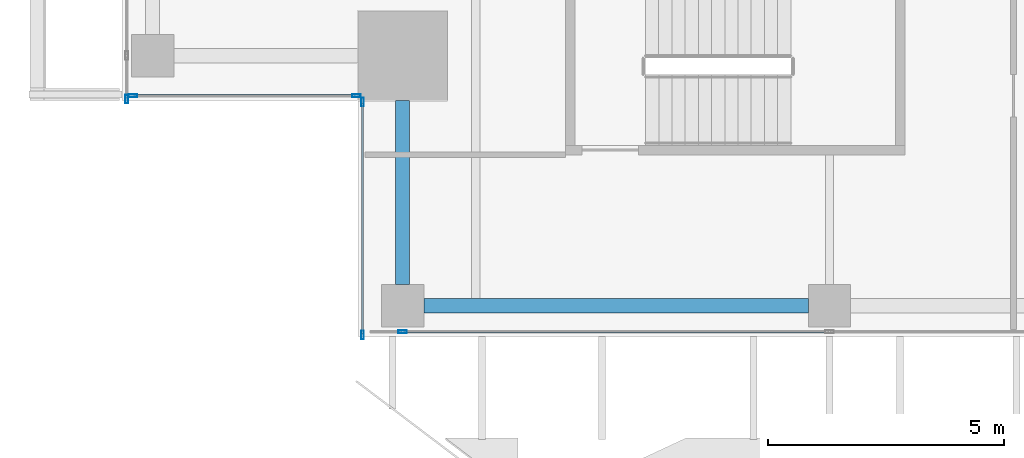
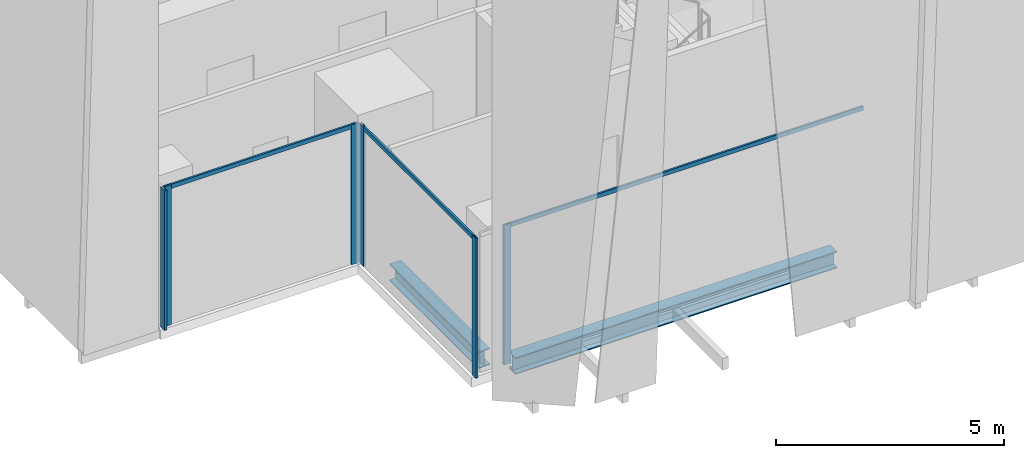
# One storey, part 2 of 35: 9 members, 2 beams, 4 elements without a shape of their own.
"""IFC4 building model written with IfcOpenShell, lengths in metres."""

from ifc_helpers import new_model, si_unit, direction, frame, origin, origin_2d, place, context, subcontext, project, spatial, hollow_rectangle, i_section, extrude, source, transform, mapped, material, material_profile, profile_set, type_object, element, aggregate, save


model = new_model("IFC4")

# Units and contexts
model_context = context("Model", 3, precision=1e-05, world=origin(), true_north=direction((0.0, 1.0)))
body_context = subcontext(model_context, "Body", "Model", "MODEL_VIEW")
ifc_project = project(units=[si_unit("LENGTHUNIT", "METRE"), si_unit("AREAUNIT", "SQUARE_METRE"), si_unit("VOLUMEUNIT", "CUBIC_METRE"), si_unit("PLANEANGLEUNIT", "RADIAN"), si_unit("MASSUNIT", "GRAM", prefix="KILO")], contexts=[model_context])

# Site, building, storey
site_placement = place(None, origin())
site = spatial("IfcSite", under=ifc_project, at=site_placement, CompositionType="ELEMENT")
building_placement = place(site_placement, origin())
building = spatial("IfcBuilding", under=site, at=building_placement, Name="Khomas Fold Tower", CompositionType="ELEMENT")
storey_placement = place(building_placement, frame((0.0, 0.0, 246.199951171875)))
storey = spatial("IfcBuildingStorey", under=building, at=storey_placement, Name="L55", CompositionType="ELEMENT", Elevation=246.199951171875)

# Beams
ifc_material_1 = material(Name="Steel S355", Category="steel")
ifc_material_profile_1 = material_profile(ifc_material_1, i_section(OverallWidth=0.300048828125, OverallDepth=0.449951171875, WebThickness=0.013916015625, FlangeThickness=0.02587890625, at=origin_2d()), Name="HE 450 B")
ifc_profile_set_1 = profile_set([ifc_material_profile_1], Name="Steel S355")
beam_type = type_object("IfcBeamType", Name="HE 450 B spandrel SB4", PredefinedType="SPANDREL", material=ifc_profile_set_1)
shared_shape_1 = source(origin(), body_context, "Body", "SweptSolid", [
    extrude(i_section(OverallWidth=0.300048828125, OverallDepth=0.449951171875, WebThickness=0.013916015625, FlangeThickness=0.02587890625, at=origin_2d()), origin(), (0.0, 0.0, 1.0), 8.150146484375),
])
beam_1_placement = place(storey_placement, frame((10.89990234375, 5.14990234375, -0.474853515625), z_axis=(1.0, 0.0, 0.0), x_axis=(0.0, 1.0, 0.0)))
element("IfcBeam", 1, at=beam_1_placement, inside=storey, type_object=beam_type, Name="SB4", PredefinedType="SPANDREL", context=body_context, shape_type="MappedRepresentation", body=[
    mapped(shared_shape_1, transform((0.0, 0.0, 0.0))),
])
shared_shape_2 = source(origin(), body_context, "Body", "SweptSolid", [
    extrude(i_section(OverallWidth=0.300048828125, OverallDepth=0.449951171875, WebThickness=0.013916015625, FlangeThickness=0.02587890625, at=origin_2d()), origin(), (0.0, 0.0, 1.0), 3.89990234375),
])
beam_2_placement = place(storey_placement, frame((10.449951171875, 5.60009765625, -0.474853515625), z_axis=(0.0, 1.0, 0.0), x_axis=(-1.0, 0.0, 0.0)))
element("IfcBeam", 2, at=beam_2_placement, inside=storey, type_object=beam_type, Name="SB4", PredefinedType="SPANDREL", context=body_context, shape_type="MappedRepresentation", body=[
    mapped(shared_shape_2, transform((0.0, 0.0, 0.0))),
])

# Curtain wall, member
ifc_material_2 = material(Name="Aluminium framed double glazing", Category="aluminium")
curtain_wall_type = type_object("IfcCurtainWallType", Name="SK-Unitised clear-glass wall, office floors CW2", PredefinedType="NOTDEFINED", material=ifc_material_2)
curtain_wall_1_placement = place(storey_placement, origin())
curtain_wall_1 = element("IfcCurtainWall", 3, at=curtain_wall_1_placement, inside=storey, type_object=curtain_wall_type, Name="CW2 run L55 00-0", PredefinedType="NOTDEFINED")
ifc_material_3 = material(Name="Aluminium", Category="aluminium")
ifc_material_profile_2 = material_profile(ifc_material_3, hollow_rectangle(XDim=0.06005859375, YDim=0.179931640625, WallThickness=0.00390625, at=origin_2d()), Name="SK-Unitised clear-glass wall, office floors mullion CW2-M")
ifc_profile_set_2 = profile_set([ifc_material_profile_2], Name="Aluminium")
member_type_1 = type_object("IfcMemberType", Name="SK-Unitised clear-glass wall, office floors mullion CW2-M", PredefinedType="MULLION", material=ifc_profile_set_2)
shared_shape_3 = source(origin(), body_context, "Body", "SweptSolid", [
    extrude(hollow_rectangle(XDim=0.06005859375, YDim=0.179931640625, WallThickness=0.00390625, at=origin_2d()), origin(), (0.0, 0.0, 1.0), 3.75),
])
member_1_placement = place(storey_placement, frame((10.449951171875, 4.60009765625, 0.0), z_axis=(0.0, 0.0, 1.0), x_axis=(0.0, 1.0, 0.0)))
member_1 = element("IfcMember", 4, at=member_1_placement, type_object=member_type_1, Name="CW2 mullion 2", PredefinedType="MULLION", context=body_context, shape_type="MappedRepresentation", body=[
    mapped(shared_shape_3, transform((0.0, 0.0, 0.0))),
])

curtain_wall_2_placement = place(storey_placement, origin())
curtain_wall_2 = element("IfcCurtainWall", 5, at=curtain_wall_2_placement, inside=storey, type_object=curtain_wall_type, Name="CW2 run L55 09-0", PredefinedType="NOTDEFINED")
member_2_placement = place(storey_placement, frame((4.60009765625, 9.530029296875, 0.0), z_axis=(0.0, 0.0, 1.0), x_axis=(1.0, 0.0, 0.0)))
member_2 = element("IfcMember", 6, at=member_2_placement, type_object=member_type_1, Name="CW2 mullion 7", PredefinedType="MULLION", context=body_context, shape_type="MappedRepresentation", body=[
    mapped(shared_shape_3, transform((0.0, 0.0, 0.0))),
])
aggregate(curtain_wall_2, [member_2])

# Curtain wall, members
curtain_wall_3_placement = place(storey_placement, origin())
curtain_wall_3 = element("IfcCurtainWall", 7, at=curtain_wall_3_placement, inside=storey, type_object=curtain_wall_type, Name="CW2 corner return L55 10", PredefinedType="NOTDEFINED")
member_3_placement = place(storey_placement, frame((4.72998046875, 9.60009765625, 0.0), z_axis=(0.0, 0.0, 1.0), x_axis=(0.0, 1.0, 0.0)))
member_3 = element("IfcMember", 8, at=member_3_placement, type_object=member_type_1, Name="CW2 mullion 1", PredefinedType="MULLION", context=body_context, shape_type="MappedRepresentation", body=[
    mapped(shared_shape_3, transform((0.0, 0.0, 0.0))),
])
member_4_placement = place(storey_placement, frame((9.469970703125, 9.60009765625, 0.0), z_axis=(0.0, 0.0, 1.0), x_axis=(0.0, 1.0, 0.0)))
member_4 = element("IfcMember", 9, at=member_4_placement, type_object=member_type_1, Name="CW2 mullion 2", PredefinedType="MULLION", context=body_context, shape_type="MappedRepresentation", body=[
    mapped(shared_shape_3, transform((0.0, 0.0, 0.0))),
])

curtain_wall_4_placement = place(storey_placement, origin())
curtain_wall_4 = element("IfcCurtainWall", 10, at=curtain_wall_4_placement, inside=storey, type_object=curtain_wall_type, Name="CW2 corner return L55 11", PredefinedType="NOTDEFINED")
member_5_placement = place(storey_placement, frame((9.60009765625, 9.469970703125, 0.0), z_axis=(0.0, 0.0, 1.0), x_axis=(1.0, 0.0, 0.0)))
member_5 = element("IfcMember", 11, at=member_5_placement, type_object=member_type_1, Name="CW2 mullion 1", PredefinedType="MULLION", context=body_context, shape_type="MappedRepresentation", body=[
    mapped(shared_shape_3, transform((0.0, 0.0, 0.0))),
])
member_6_placement = place(storey_placement, frame((9.60009765625, 4.530029296875, 0.0), z_axis=(0.0, 0.0, 1.0), x_axis=(1.0, 0.0, 0.0)))
member_6 = element("IfcMember", 12, at=member_6_placement, type_object=member_type_1, Name="CW2 mullion 2", PredefinedType="MULLION", context=body_context, shape_type="MappedRepresentation", body=[
    mapped(shared_shape_3, transform((0.0, 0.0, 0.0))),
])

# Member
ifc_material_4 = material(Name="Aluminium", Category="aluminium")
ifc_material_profile_3 = material_profile(ifc_material_4, hollow_rectangle(XDim=0.050048828125, YDim=0.110107421875, WallThickness=0.00390625, at=origin_2d()), Name="SK-Unitised clear-glass wall, office floors transom CW2-T")
ifc_profile_set_3 = profile_set([ifc_material_profile_3], Name="Aluminium")
member_type_2 = type_object("IfcMemberType", Name="SK-Unitised clear-glass wall, office floors transom CW2-T", PredefinedType="USERDEFINED", material=ifc_profile_set_3)
shared_shape_4 = source(origin(), body_context, "Body", "SweptSolid", [
    extrude(hollow_rectangle(XDim=0.050048828125, YDim=0.110107421875, WallThickness=0.00390625, at=origin_2d()), origin(), (0.0, 0.0, 1.0), 8.989990234375),
])
member_7_placement = place(storey_placement, frame((10.47998046875, 4.60009765625, 3.695068359375), z_axis=(1.0, 0.0, 0.0), x_axis=(0.0, 1.0, 0.0)))
member_7 = element("IfcMember", 13, at=member_7_placement, type_object=member_type_2, Name="CW2 transom 2", ObjectType="TRANSOM", PredefinedType="USERDEFINED", context=body_context, shape_type="MappedRepresentation", body=[
    mapped(shared_shape_4, transform((0.0, 0.0, 0.0))),
])

aggregate(curtain_wall_1, [member_1, member_7])

shared_shape_5 = source(origin(), body_context, "Body", "SweptSolid", [
    extrude(hollow_rectangle(XDim=0.050048828125, YDim=0.110107421875, WallThickness=0.00390625, at=origin_2d()), origin(), (0.0, 0.0, 1.0), 4.679931640625),
])
member_8_placement = place(storey_placement, frame((4.760009765625, 9.60009765625, 3.695068359375), z_axis=(1.0, 0.0, 0.0), x_axis=(0.0, 1.0, 0.0)))
member_8 = element("IfcMember", 14, at=member_8_placement, type_object=member_type_2, Name="CW2 transom 1", ObjectType="TRANSOM", PredefinedType="USERDEFINED", context=body_context, shape_type="MappedRepresentation", body=[
    mapped(shared_shape_5, transform((0.0, 0.0, 0.0))),
])

aggregate(curtain_wall_3, [member_3, member_4, member_8])

shared_shape_6 = source(origin(), body_context, "Body", "SweptSolid", [
    extrude(hollow_rectangle(XDim=0.050048828125, YDim=0.110107421875, WallThickness=0.00390625, at=origin_2d()), origin(), (0.0, 0.0, 1.0), 4.8798828125),
])
member_9_placement = place(storey_placement, frame((9.60009765625, 9.43994140625, 3.695068359375), z_axis=(0.0, -1.0, 0.0), x_axis=(1.0, 0.0, 0.0)))
member_9 = element("IfcMember", 15, at=member_9_placement, type_object=member_type_2, Name="CW2 transom 1", ObjectType="TRANSOM", PredefinedType="USERDEFINED", context=body_context, shape_type="MappedRepresentation", body=[
    mapped(shared_shape_6, transform((0.0, 0.0, 0.0))),
])

aggregate(curtain_wall_4, [member_5, member_6, member_9])

save(model, "model.ifc")
